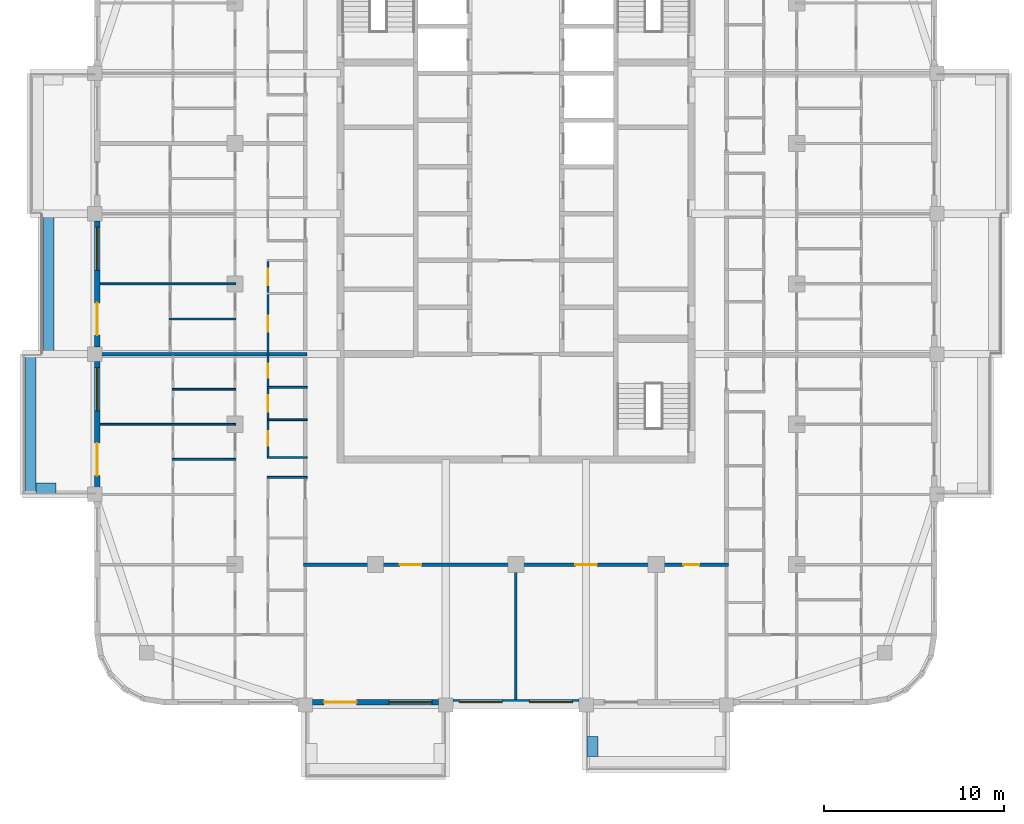
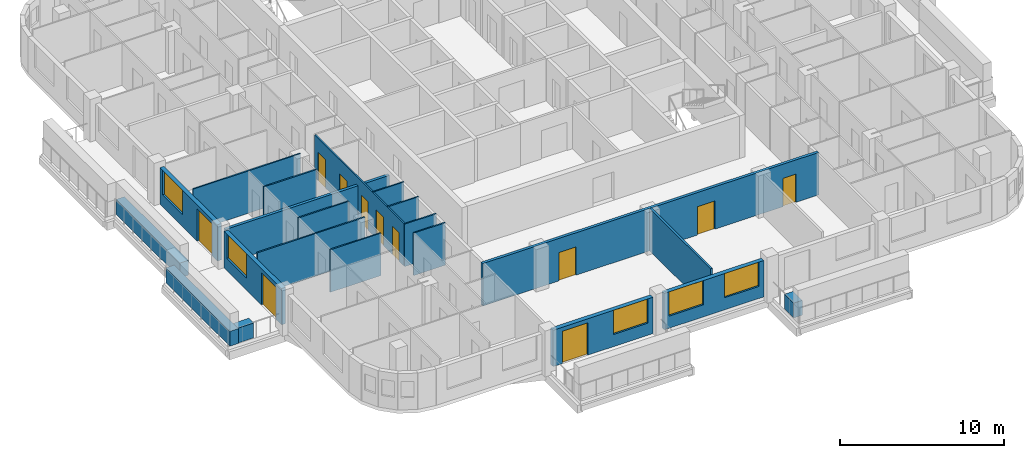
# One storey, part 3 of 16: 21 walls, 11 doors, 5 windows, 16 openings.
"""IFC4 building model written with IfcOpenShell, lengths in metres."""

import ifcopenshell
import ifcopenshell.guid

model = None  # the IFC model being written
_history = None  # IfcOwnerHistory: only IFC2X3 demands one
_inside = {}  # id of a spatial element -> (the spatial element, [elements in it])
_under = {}  # id of a project, library or spatial element -> (it, [spatial elements below it])
_declared = {}  # id of a project -> (the project, [libraries it declares])
_typed = {}  # id of a type object -> (the type object, [elements of that type])
_made_of = {}  # id of a material, layer set ... -> (it, [elements and type objects made of it])


def new_model(schema):
    """Start an empty IFC model of exactly this schema.

    Asked for "IFC4X3", IfcOpenShell would pick the latest addendum, in which some entities
    have other attributes; the version numbers below select the first issue.
    IFC2X3 requires an IfcOwnerHistory on every rooted entity: one is made here for all.
    """
    global model, _history
    if schema == "IFC4X3":
        model = ifcopenshell.file(schema_version=(4, 3, 0, 0))
    else:
        model = ifcopenshell.file(schema=schema)
    _inside.clear()
    _under.clear()
    _declared.clear()
    _typed.clear()
    _made_of.clear()
    _history = None
    if model.schema == "IFC2X3":
        org = make("IfcOrganization", Name="unknown")
        user = make(
            "IfcPersonAndOrganization",
            ThePerson=make("IfcPerson", FamilyName="unknown"),
            TheOrganization=org,
        )
        app = make(
            "IfcApplication",
            ApplicationDeveloper=org,
            Version="unknown",
            ApplicationFullName="unknown",
            ApplicationIdentifier="unknown",
        )
        _history = make(
            "IfcOwnerHistory",
            OwningUser=user,
            OwningApplication=app,
            ChangeAction="ADDED",
            CreationDate=0,
        )
    return model


def make(cls, **values):
    """One entity of the class cls with the attributes given. An attribute that is None is left unset."""
    return model.create_entity(
        cls, **{name: value for name, value in values.items() if value is not None}
    )


def rooted(cls, **values):
    """An entity with a GlobalId (a new one), such as an element, a storey or a relation."""
    return make(cls, GlobalId=ifcopenshell.guid.new(), OwnerHistory=_history, **values)


def si_unit(unit_type, name, prefix=None):
    """IfcSIUnit, for example si_unit("LENGTHUNIT", "METRE", prefix="MILLI")."""
    return make("IfcSIUnit", UnitType=unit_type, Prefix=prefix, Name=name)


def assignment(units):
    """IfcUnitAssignment: the units of a project."""
    return None if units is None else make("IfcUnitAssignment", Units=units)


def point(xyz):
    """IfcCartesianPoint."""
    return None if xyz is None else make("IfcCartesianPoint", Coordinates=xyz)


def direction(xyz):
    """IfcDirection."""
    return None if xyz is None else make("IfcDirection", DirectionRatios=xyz)


def frame(location, z_axis=None, x_axis=None):
    """IfcAxis2Placement3D, a coordinate frame: its origin and axes. An axis left out is left unset."""
    return make(
        "IfcAxis2Placement3D",
        Location=point(location),
        Axis=direction(z_axis),
        RefDirection=direction(x_axis),
    )


def frame_2d(location, x_axis=None):
    """IfcAxis2Placement2D, a coordinate frame in the plane: its origin and x axis."""
    return make(
        "IfcAxis2Placement2D", Location=point(location), RefDirection=direction(x_axis)
    )


def origin():
    """The frame at (0, 0, 0) with its axes left unset."""
    return frame((0.0, 0.0, 0.0))


def place(relative_to, where):
    """IfcLocalPlacement: puts the frame where relative to a parent placement (None: the world)."""
    return make(
        "IfcLocalPlacement", PlacementRelTo=relative_to, RelativePlacement=where
    )


def context(
    kind, dimensions, precision=None, world=None, true_north=None, identifier=None
):
    """IfcGeometricRepresentationContext, for example the 3D "Model" context."""
    return make(
        "IfcGeometricRepresentationContext",
        ContextIdentifier=identifier,
        ContextType=kind,
        CoordinateSpaceDimension=dimensions,
        Precision=precision,
        WorldCoordinateSystem=world,
        TrueNorth=true_north,
    )


def subcontext(parent, identifier, kind, view, scale=None):
    """IfcGeometricRepresentationSubContext, for example "Body" below "Model"."""
    return make(
        "IfcGeometricRepresentationSubContext",
        ContextIdentifier=identifier,
        ContextType=kind,
        ParentContext=parent,
        TargetScale=scale,
        TargetView=view,
    )


def project(units=None, contexts=None):
    """IfcProject with its units and contexts."""
    return rooted(
        "IfcProject",
        Name="project",
        RepresentationContexts=contexts,
        UnitsInContext=assignment(units),
    )


def spatial(cls, under=None, at=None, **own):
    """A site, building, storey or space (cls), placed at a placement, below another one or the project."""
    s = rooted(cls, ObjectPlacement=at, **own)
    if under is not None:
        _under.setdefault(under.id(), (under, []))[1].append(s)
    return s


def profile(cls, at=None, kind="AREA", **sizes):
    """A parametric profile (cls). Its sizes go by their IFC names, for example OverallWidth=200.0."""
    return make(cls, ProfileType=kind, Position=at, **sizes)


def rectangle(**sizes):
    """IfcRectangleProfileDef."""
    return profile("IfcRectangleProfileDef", **sizes)


def extrude(swept, where, along, depth):
    """IfcExtrudedAreaSolid: the profile swept, set in the frame where, extruded along a direction by depth."""
    return make(
        "IfcExtrudedAreaSolid",
        SweptArea=swept,
        Position=where,
        ExtrudedDirection=direction(along),
        Depth=depth,
    )


def shape(context_of_items, identifier, shape_type, items):
    """IfcShapeRepresentation: the items that make up one representation, for example the "Body"."""
    return make(
        "IfcShapeRepresentation",
        ContextOfItems=context_of_items,
        RepresentationIdentifier=identifier,
        RepresentationType=shape_type,
        Items=items,
    )


def material(Name=None, Category=None):
    """IfcMaterial."""
    return make("IfcMaterial", Name=Name, Category=Category)


def layer(
    of_material, thickness, ventilated=None, Name=None, Category=None, Priority=None
):
    """IfcMaterialLayer: one layer of a wall or slab, of a material (None: an air gap)."""
    return make(
        "IfcMaterialLayer",
        Material=of_material,
        LayerThickness=thickness,
        IsVentilated=ventilated,
        Name=Name,
        Category=Category,
        Priority=Priority,
    )


def layer_set(layers, Name=None):
    """IfcMaterialLayerSet."""
    return make("IfcMaterialLayerSet", MaterialLayers=layers, LayerSetName=Name)


def made_of(thing, what):
    """Note that an element or type object is made of a material, layer set ...; save() writes the relation."""
    if what is not None:
        _made_of.setdefault(what.id(), (what, []))[1].append(thing)
    return thing


def type_object(cls, material=None, **own):
    """A type object (cls), such as IfcWallType, which elements share."""
    return made_of(rooted(cls, **own), material)


def element(
    cls,
    number,
    at=None,
    inside=None,
    cuts=None,
    type_object=None,
    material=None,
    context=None,
    identifier="Body",
    shape_type=None,
    held_by="IfcProductDefinitionShape",
    body=None,
    shapes=None,
    **own,
):
    """One element of the class cls, such as IfcWall. Its Tag is "e" and its number.

    at: its placement. inside: the storey or other place that contains it. cuts: it is an
    opening in that element (IfcRelVoidsElement). A single representation is given by context,
    identifier, shape_type and body (its items); several are given by shapes. held_by: the class
    of the entity that holds the representations. save() writes the other relations.
    """
    e = rooted(cls, Tag="e%d" % number, ObjectPlacement=at, **own)
    if body is not None:
        shapes = [shape(context, identifier, shape_type, body)]
    if shapes is not None:
        e.Representation = make(held_by, Representations=shapes)
    if inside is not None:
        _inside.setdefault(inside.id(), (inside, []))[1].append(e)
    if cuts is not None:
        rooted(
            "IfcRelVoidsElement", RelatingBuildingElement=cuts, RelatedOpeningElement=e
        )
    if type_object is not None:
        _typed.setdefault(type_object.id(), (type_object, []))[1].append(e)
    return made_of(e, material)


def fill(opening, filler):
    """IfcRelFillsElement: the door or window that sits in an opening."""
    return rooted(
        "IfcRelFillsElement",
        RelatingOpeningElement=opening,
        RelatedBuildingElement=filler,
    )


def aggregate(whole, parts):
    """IfcRelAggregates: a whole, such as a stair, and the parts it consists of."""
    return rooted("IfcRelAggregates", RelatingObject=whole, RelatedObjects=parts)


def save(model, path):
    """Write the relations noted so far, then the file.

    IfcRelAggregates (storeys below a building ...), IfcRelContainedInSpatialStructure (elements
    in a storey), IfcRelDefinesByType, IfcRelAssociatesMaterial and IfcRelDeclares: one each for
    every whole, place, type object, material and project.
    """
    for whole, parts in _under.values():
        aggregate(whole, parts)
    for where, things in _inside.values():
        rooted(
            "IfcRelContainedInSpatialStructure",
            RelatedElements=things,
            RelatingStructure=where,
        )
    for kind, things in _typed.values():
        rooted("IfcRelDefinesByType", RelatedObjects=things, RelatingType=kind)
    for what, things in _made_of.values():
        rooted("IfcRelAssociatesMaterial", RelatedObjects=things, RelatingMaterial=what)
    for by, libraries in _declared.values():
        rooted("IfcRelDeclares", RelatingContext=by, RelatedDefinitions=libraries)
    model.write(path)


model = new_model("IFC4")

# Units and contexts
model_context = context("Model", 3, precision=1e-05, world=origin(), true_north=direction((0.0, 1.0)))
body_context = subcontext(model_context, "Body", "Model", "MODEL_VIEW")
ifc_project = project(units=[si_unit("LENGTHUNIT", "METRE"), si_unit("AREAUNIT", "SQUARE_METRE"), si_unit("VOLUMEUNIT", "CUBIC_METRE"), si_unit("PLANEANGLEUNIT", "RADIAN"), si_unit("MASSUNIT", "GRAM", prefix="KILO")], contexts=[model_context])

# Site, building, storey
site_placement = place(None, origin())
site = spatial("IfcSite", under=ifc_project, at=site_placement, CompositionType="ELEMENT")
building_placement = place(site_placement, origin())
building = spatial("IfcBuilding", under=site, at=building_placement, Name="Ludao Terraces", CompositionType="ELEMENT")
storey_placement = place(building_placement, frame((0.0, 0.0, 227.89990234375)))
storey = spatial("IfcBuildingStorey", under=building, at=storey_placement, Name="L62", CompositionType="ELEMENT", Elevation=227.89990234375)

# Walls
ifc_material_1 = material(Name="Concrete C40", Category="concrete")
ifc_layer_1 = layer(ifc_material_1, 0.60009765625)
ifc_layer_set_1 = layer_set([ifc_layer_1], Name="ENV Planter trough 600")
wall_type_1 = type_object("IfcWallType", Name="ENV Planter trough 600", PredefinedType="USERDEFINED", material=ifc_layer_set_1)
wall_1_placement = place(storey_placement, frame((89.25, 38.75, 0.0), z_axis=(0.0, 0.0, 1.0), x_axis=(0.0, 1.0, 0.0)))
element("IfcWall", 1, at=wall_1_placement, inside=storey, type_object=wall_type_1, Name="PL-L62-S3-SA", ObjectType="PLANTER", PredefinedType="USERDEFINED", context=body_context, shape_type="SweptSolid", body=[
    extrude(rectangle(XDim=1.10009765625, YDim=0.60009765625, at=frame_2d((0.550048828125, 0.0))), origin(), (0.0, 0.0, 1.0), 1.10009765625),
])
wall_2_placement = place(storey_placement, frame((58.050048828125, 53.300048828125, 0.0), z_axis=(0.0, 0.0, 1.0), x_axis=(0.0, 1.0, 0.0)))
element("IfcWall", 2, at=wall_2_placement, inside=storey, type_object=wall_type_1, Name="PL-L62-W1", ObjectType="PLANTER", PredefinedType="USERDEFINED", context=body_context, shape_type="SweptSolid", body=[
    extrude(rectangle(XDim=7.800048828125, YDim=0.60009765625, at=frame_2d((3.89990234375, 0.0))), origin(), (0.0, 0.0, 1.0), 1.10009765625),
])
wall_3_placement = place(storey_placement, frame((58.35009765625, 53.64990234375, 0.0), z_axis=(0.0, 0.0, 1.0), x_axis=(1.0, 0.0, 0.0)))
element("IfcWall", 3, at=wall_3_placement, inside=storey, type_object=wall_type_1, Name="PL-L62-W1-SA", ObjectType="PLANTER", PredefinedType="USERDEFINED", context=body_context, shape_type="SweptSolid", body=[
    extrude(rectangle(XDim=1.099853515625, YDim=0.60009765625, at=frame_2d((0.5498046875, 0.0))), origin(), (0.0, 0.0, 1.0), 1.10009765625),
])
wall_4_placement = place(storey_placement, frame((59.050048828125, 61.10009765625, 0.0), z_axis=(0.0, 0.0, 1.0), x_axis=(0.0, 1.0, 0.0)))
element("IfcWall", 4, at=wall_4_placement, inside=storey, type_object=wall_type_1, Name="PL-L62-W2", ObjectType="PLANTER", PredefinedType="USERDEFINED", context=body_context, shape_type="SweptSolid", body=[
    extrude(rectangle(XDim=7.7998046875, YDim=0.60009765625, at=frame_2d((3.89990234375, 0.0))), origin(), (0.0, 0.0, 1.0), 1.10009765625),
])

# Wall, openings, door, window
ifc_material_2 = material(Name="Granite cladding", Category="masonry")
ifc_layer_2 = layer(ifc_material_2, 0.0400390625, Category="stone")
ifc_material_3 = material(Name="Mineral wool")
ifc_layer_3 = layer(ifc_material_3, 0.06005859375)
ifc_layer_4 = layer(ifc_material_1, 0.199951171875, Category="concrete")
ifc_layer_set_2 = layer_set([ifc_layer_2, ifc_layer_3, ifc_layer_4], Name="ENV Stone-clad wall 300")
wall_type_2 = type_object("IfcWallType", Name="ENV Stone-clad wall 300", PredefinedType="SOLIDWALL", material=ifc_layer_set_2)
wall_5_placement = place(storey_placement, frame((73.699951171875, 41.75, 0.0), z_axis=(0.0, 0.0, 1.0), x_axis=(1.0, 0.0, 0.0)))
wall_5 = element("IfcWall", 5, at=wall_5_placement, inside=storey, type_object=wall_type_2, Name="EW-L62-S2", PredefinedType="SOLIDWALL", context=body_context, shape_type="SweptSolid", body=[
    extrude(rectangle(XDim=7.0, YDim=0.300048828125, at=frame_2d((3.5, 0.0))), origin(), (0.0, 0.0, 1.0), 2.7001953125),
])
opening_1_placement = place(wall_5_placement, frame((0.64990234375, 0.0, 0.0)))
opening_1 = element("IfcOpeningElement", 6, at=opening_1_placement, cuts=wall_5, Name="Opening BD", PredefinedType="OPENING", context=body_context, shape_type="SweptSolid", body=[
    extrude(rectangle(XDim=1.800048828125, YDim=2.39990234375, at=frame_2d((0.89990234375, 1.199951171875))), frame((0.0, 0.16015625, 0.0), z_axis=(0.0, -1.0, 0.0), x_axis=(1.0, 0.0, 0.0)), (0.0, 0.0, 1.0), 0.320068359375),
])
opening_2_placement = place(wall_5_placement, frame((4.25, 0.0, 0.89990234375)))
opening_2 = element("IfcOpeningElement", 7, at=opening_2_placement, cuts=wall_5, Name="Opening W1", PredefinedType="OPENING", context=body_context, shape_type="SweptSolid", body=[
    extrude(rectangle(XDim=2.39990234375, YDim=1.800048828125, at=frame_2d((1.199951171875, 0.89990234375))), frame((0.0, 0.16015625, 0.0), z_axis=(0.0, -1.0, 0.0), x_axis=(1.0, 0.0, 0.0)), (0.0, 0.0, 1.0), 0.320068359375),
])
ifc_material_4 = material(Name="Aluminium glazed door", Category="aluminium")
ifc_layer_5 = layer(ifc_material_4, 0.06005859375)
ifc_layer_set_3 = layer_set([ifc_layer_5], Name="ENV Balcony door BD 1800x2400")
door_type_1 = type_object("IfcDoorType", Name="ENV Balcony door BD 1800x2400", OperationType="DOUBLE_DOOR_SINGLE_SWING", PredefinedType="DOOR", material=ifc_layer_set_3)
door_1_placement = place(opening_1_placement, origin())
door_1 = element("IfcDoor", 8, at=door_1_placement, inside=storey, type_object=door_type_1, Name="BD-L62-S2-1", OperationType="DOUBLE_DOOR_SINGLE_SWING", OverallHeight=2.39990234375, OverallWidth=1.800048828125, PredefinedType="DOOR", context=body_context, shape_type="SweptSolid", body=[
    extrude(rectangle(XDim=1.800048828125, YDim=2.39990234375, at=frame_2d((0.89990234375, 1.199951171875))), frame((0.0, 0.02490234375, 0.0), z_axis=(0.0, -1.0, 0.0), x_axis=(1.0, 0.0, 0.0)), (0.0, 0.0, 1.0), 0.050048828125),
])
fill(opening_1, door_1)
ifc_material_5 = material(Name="Clear glass in aluminium frame", Category="aluminium")
ifc_layer_6 = layer(ifc_material_5, 0.06005859375)
ifc_layer_set_4 = layer_set([ifc_layer_6], Name="ENV Window W1 2400x1800")
window_type = type_object("IfcWindowType", Name="ENV Window W1 2400x1800", PartitioningType="DOUBLE_PANEL_VERTICAL", PredefinedType="WINDOW", material=ifc_layer_set_4)
window_1_placement = place(opening_2_placement, origin())
window_1 = element("IfcWindow", 9, at=window_1_placement, inside=storey, type_object=window_type, Name="W-L62-S2-2", OverallHeight=1.800048828125, OverallWidth=2.39990234375, PartitioningType="DOUBLE_PANEL_VERTICAL", PredefinedType="WINDOW", context=body_context, shape_type="SweptSolid", body=[
    extrude(rectangle(XDim=2.39990234375, YDim=1.800048828125, at=frame_2d((1.199951171875, 0.89990234375))), frame((0.0, 0.030029296875, 0.0), z_axis=(0.0, -1.0, 0.0), x_axis=(1.0, 0.0, 0.0)), (0.0, 0.0, 1.0), 0.06005859375),
])
fill(opening_2, window_1)

# Wall, openings, windows
wall_6_placement = place(storey_placement, frame((81.5, 41.75, 0.0), z_axis=(0.0, 0.0, 1.0), x_axis=(1.0, 0.0, 0.0)))
wall_6 = element("IfcWall", 10, at=wall_6_placement, inside=storey, type_object=wall_type_2, Name="EW-L62-S3", PredefinedType="SOLIDWALL", context=body_context, shape_type="SweptSolid", body=[
    extrude(rectangle(XDim=7.0, YDim=0.300048828125, at=frame_2d((3.5, 0.0))), origin(), (0.0, 0.0, 1.0), 2.7001953125),
])
opening_3_placement = place(wall_6_placement, frame((0.35009765625, 0.0, 0.89990234375)))
opening_3 = element("IfcOpeningElement", 11, at=opening_3_placement, cuts=wall_6, Name="Opening W1", PredefinedType="OPENING", context=body_context, shape_type="SweptSolid", body=[
    extrude(rectangle(XDim=2.39990234375, YDim=1.800048828125, at=frame_2d((1.199951171875, 0.89990234375))), frame((0.0, 0.16015625, 0.0), z_axis=(0.0, -1.0, 0.0), x_axis=(1.0, 0.0, 0.0)), (0.0, 0.0, 1.0), 0.320068359375),
])
opening_4_placement = place(wall_6_placement, frame((4.25, 0.0, 0.89990234375)))
opening_4 = element("IfcOpeningElement", 12, at=opening_4_placement, cuts=wall_6, Name="Opening W1", PredefinedType="OPENING", context=body_context, shape_type="SweptSolid", body=[
    extrude(rectangle(XDim=2.39990234375, YDim=1.800048828125, at=frame_2d((1.199951171875, 0.89990234375))), frame((0.0, 0.16015625, 0.0), z_axis=(0.0, -1.0, 0.0), x_axis=(1.0, 0.0, 0.0)), (0.0, 0.0, 1.0), 0.320068359375),
])
window_2_placement = place(opening_3_placement, origin())
window_2 = element("IfcWindow", 13, at=window_2_placement, inside=storey, type_object=window_type, Name="W-L62-S3-1", OverallHeight=1.800048828125, OverallWidth=2.39990234375, PartitioningType="DOUBLE_PANEL_VERTICAL", PredefinedType="WINDOW", context=body_context, shape_type="SweptSolid", body=[
    extrude(rectangle(XDim=2.39990234375, YDim=1.800048828125, at=frame_2d((1.199951171875, 0.89990234375))), frame((0.0, 0.030029296875, 0.0), z_axis=(0.0, -1.0, 0.0), x_axis=(1.0, 0.0, 0.0)), (0.0, 0.0, 1.0), 0.06005859375),
])
fill(opening_3, window_2)
window_3_placement = place(opening_4_placement, origin())
window_3 = element("IfcWindow", 14, at=window_3_placement, inside=storey, type_object=window_type, Name="W-L62-S3-2", OverallHeight=1.800048828125, OverallWidth=2.39990234375, PartitioningType="DOUBLE_PANEL_VERTICAL", PredefinedType="WINDOW", context=body_context, shape_type="SweptSolid", body=[
    extrude(rectangle(XDim=2.39990234375, YDim=1.800048828125, at=frame_2d((1.199951171875, 0.89990234375))), frame((0.0, 0.030029296875, 0.0), z_axis=(0.0, -1.0, 0.0), x_axis=(1.0, 0.0, 0.0)), (0.0, 0.0, 1.0), 0.06005859375),
])
fill(opening_4, window_3)

# Wall, openings, door, window
wall_7_placement = place(storey_placement, frame((61.75, 53.699951171875, 0.0), z_axis=(0.0, 0.0, 1.0), x_axis=(0.0, 1.0, 0.0)))
wall_7 = element("IfcWall", 15, at=wall_7_placement, inside=storey, type_object=wall_type_2, Name="EW-L62-W2", PredefinedType="SOLIDWALL", context=body_context, shape_type="SweptSolid", body=[
    extrude(rectangle(XDim=7.0, YDim=0.300048828125, at=frame_2d((3.5, 0.0))), origin(), (0.0, 0.0, 1.0), 2.7001953125),
])
opening_5_placement = place(wall_7_placement, frame((0.64990234375, 0.0, 0.0)))
opening_5 = element("IfcOpeningElement", 16, at=opening_5_placement, cuts=wall_7, Name="Opening BD", PredefinedType="OPENING", context=body_context, shape_type="SweptSolid", body=[
    extrude(rectangle(XDim=1.800048828125, YDim=2.39990234375, at=frame_2d((0.89990234375, 1.199951171875))), frame((0.0, 0.16015625, 0.0), z_axis=(0.0, -1.0, 0.0), x_axis=(1.0, 0.0, 0.0)), (0.0, 0.0, 1.0), 0.320068359375),
])
opening_6_placement = place(wall_7_placement, frame((4.25, 0.0, 0.89990234375)))
opening_6 = element("IfcOpeningElement", 17, at=opening_6_placement, cuts=wall_7, Name="Opening W1", PredefinedType="OPENING", context=body_context, shape_type="SweptSolid", body=[
    extrude(rectangle(XDim=2.39990234375, YDim=1.800048828125, at=frame_2d((1.199951171875, 0.89990234375))), frame((0.0, 0.16015625, 0.0), z_axis=(0.0, -1.0, 0.0), x_axis=(1.0, 0.0, 0.0)), (0.0, 0.0, 1.0), 0.320068359375),
])
door_2_placement = place(opening_5_placement, origin())
door_2 = element("IfcDoor", 18, at=door_2_placement, inside=storey, type_object=door_type_1, Name="BD-L62-W2-1", OperationType="DOUBLE_DOOR_SINGLE_SWING", OverallHeight=2.39990234375, OverallWidth=1.800048828125, PredefinedType="DOOR", context=body_context, shape_type="SweptSolid", body=[
    extrude(rectangle(XDim=1.800048828125, YDim=2.39990234375, at=frame_2d((0.89990234375, 1.199951171875))), frame((0.0, 0.02490234375, 0.0), z_axis=(0.0, -1.0, 0.0), x_axis=(1.0, 0.0, 0.0)), (0.0, 0.0, 1.0), 0.050048828125),
])
fill(opening_5, door_2)
window_4_placement = place(opening_6_placement, origin())
window_4 = element("IfcWindow", 19, at=window_4_placement, inside=storey, type_object=window_type, Name="W-L62-W2-2", OverallHeight=1.800048828125, OverallWidth=2.39990234375, PartitioningType="DOUBLE_PANEL_VERTICAL", PredefinedType="WINDOW", context=body_context, shape_type="SweptSolid", body=[
    extrude(rectangle(XDim=2.39990234375, YDim=1.800048828125, at=frame_2d((1.199951171875, 0.89990234375))), frame((0.0, 0.030029296875, 0.0), z_axis=(0.0, -1.0, 0.0), x_axis=(1.0, 0.0, 0.0)), (0.0, 0.0, 1.0), 0.06005859375),
])
fill(opening_6, window_4)

wall_8_placement = place(storey_placement, frame((61.75, 61.5, 0.0), z_axis=(0.0, 0.0, 1.0), x_axis=(0.0, 1.0, 0.0)))
wall_8 = element("IfcWall", 20, at=wall_8_placement, inside=storey, type_object=wall_type_2, Name="EW-L62-W3", PredefinedType="SOLIDWALL", context=body_context, shape_type="SweptSolid", body=[
    extrude(rectangle(XDim=7.0, YDim=0.300048828125, at=frame_2d((3.5, 0.0))), origin(), (0.0, 0.0, 1.0), 2.7001953125),
])
opening_7_placement = place(wall_8_placement, frame((0.64990234375, 0.0, 0.0)))
opening_7 = element("IfcOpeningElement", 21, at=opening_7_placement, cuts=wall_8, Name="Opening BD", PredefinedType="OPENING", context=body_context, shape_type="SweptSolid", body=[
    extrude(rectangle(XDim=1.800048828125, YDim=2.39990234375, at=frame_2d((0.89990234375, 1.199951171875))), frame((0.0, 0.16015625, 0.0), z_axis=(0.0, -1.0, 0.0), x_axis=(1.0, 0.0, 0.0)), (0.0, 0.0, 1.0), 0.320068359375),
])
opening_8_placement = place(wall_8_placement, frame((4.25, 0.0, 0.89990234375)))
opening_8 = element("IfcOpeningElement", 22, at=opening_8_placement, cuts=wall_8, Name="Opening W1", PredefinedType="OPENING", context=body_context, shape_type="SweptSolid", body=[
    extrude(rectangle(XDim=2.39990234375, YDim=1.800048828125, at=frame_2d((1.199951171875, 0.89990234375))), frame((0.0, 0.16015625, 0.0), z_axis=(0.0, -1.0, 0.0), x_axis=(1.0, 0.0, 0.0)), (0.0, 0.0, 1.0), 0.320068359375),
])
door_3_placement = place(opening_7_placement, origin())
door_3 = element("IfcDoor", 23, at=door_3_placement, inside=storey, type_object=door_type_1, Name="BD-L62-W3-1", OperationType="DOUBLE_DOOR_SINGLE_SWING", OverallHeight=2.39990234375, OverallWidth=1.800048828125, PredefinedType="DOOR", context=body_context, shape_type="SweptSolid", body=[
    extrude(rectangle(XDim=1.800048828125, YDim=2.39990234375, at=frame_2d((0.89990234375, 1.199951171875))), frame((0.0, 0.02490234375, 0.0), z_axis=(0.0, -1.0, 0.0), x_axis=(1.0, 0.0, 0.0)), (0.0, 0.0, 1.0), 0.050048828125),
])
fill(opening_7, door_3)
window_5_placement = place(opening_8_placement, origin())
window_5 = element("IfcWindow", 24, at=window_5_placement, inside=storey, type_object=window_type, Name="W-L62-W3-2", OverallHeight=1.800048828125, OverallWidth=2.39990234375, PartitioningType="DOUBLE_PANEL_VERTICAL", PredefinedType="WINDOW", context=body_context, shape_type="SweptSolid", body=[
    extrude(rectangle(XDim=2.39990234375, YDim=1.800048828125, at=frame_2d((1.199951171875, 0.89990234375))), frame((0.0, 0.030029296875, 0.0), z_axis=(0.0, -1.0, 0.0), x_axis=(1.0, 0.0, 0.0)), (0.0, 0.0, 1.0), 0.06005859375),
])
fill(opening_8, window_5)

# Wall, openings, doors
ifc_material_6 = material(Name="Autoclaved aerated concrete block B06 A3.5", Category="concrete")
ifc_layer_7 = layer(ifc_material_6, 0.199951171875)
ifc_layer_set_5 = layer_set([ifc_layer_7], Name="INT Entrance wall 200")
wall_type_3 = type_object("IfcWallType", Name="INT Entrance wall 200", PredefinedType="PARTITIONING", material=ifc_layer_set_5)
wall_9_placement = place(storey_placement, frame((73.2001953125, 49.39990234375, 0.0), z_axis=(0.0, 0.0, 1.0), x_axis=(1.0, 0.0, 0.0)))
wall_9 = element("IfcWall", 25, at=wall_9_placement, inside=storey, type_object=wall_type_3, Name="PW-L62-PW006", PredefinedType="PARTITIONING", context=body_context, shape_type="SweptSolid", body=[
    extrude(rectangle(XDim=23.599853515625, YDim=0.199951171875, at=frame_2d((11.7998046875, 0.0))), origin(), (0.0, 0.0, 1.0), 3.150146484375),
])
opening_9_placement = place(wall_9_placement, frame((5.349853515625, 0.0, 0.0)))
opening_9 = element("IfcOpeningElement", 26, at=opening_9_placement, cuts=wall_9, Name="Opening R22-015", PredefinedType="OPENING", context=body_context, shape_type="SweptSolid", body=[
    extrude(rectangle(XDim=1.199951171875, YDim=2.10009765625, at=frame_2d((0.60009765625, 1.050048828125))), frame((0.0, 0.10986328125, 0.0), z_axis=(0.0, -1.0, 0.0), x_axis=(1.0, 0.0, 0.0)), (0.0, 0.0, 1.0), 0.219970703125),
])
opening_10_placement = place(wall_9_placement, frame((15.099853515625, 0.0, 0.0)))
opening_10 = element("IfcOpeningElement", 27, at=opening_10_placement, cuts=wall_9, Name="Opening R22-016", PredefinedType="OPENING", context=body_context, shape_type="SweptSolid", body=[
    extrude(rectangle(XDim=1.199951171875, YDim=2.10009765625, at=frame_2d((0.60009765625, 1.050048828125))), frame((0.0, 0.10986328125, 0.0), z_axis=(0.0, -1.0, 0.0), x_axis=(1.0, 0.0, 0.0)), (0.0, 0.0, 1.0), 0.219970703125),
])
opening_11_placement = place(wall_9_placement, frame((21.099853515625, 0.0, 0.0)))
opening_11 = element("IfcOpeningElement", 28, at=opening_11_placement, cuts=wall_9, Name="Opening R22-017", PredefinedType="OPENING", context=body_context, shape_type="SweptSolid", body=[
    extrude(rectangle(XDim=0.89990234375, YDim=2.10009765625, at=frame_2d((0.449951171875, 1.050048828125))), frame((0.0, 0.10986328125, 0.0), z_axis=(0.0, -1.0, 0.0), x_axis=(1.0, 0.0, 0.0)), (0.0, 0.0, 1.0), 0.219970703125),
])
ifc_material_7 = material(Name="Timber door leaf", Category="wood")
door_type_2 = type_object("IfcDoorType", Name="INT Double door 1200", OperationType="DOUBLE_DOOR_SINGLE_SWING", PredefinedType="DOOR", material=ifc_material_7)
door_4_placement = place(opening_9_placement, origin())
door_4 = element("IfcDoor", 29, at=door_4_placement, inside=storey, type_object=door_type_2, Name="DOOR 015", OperationType="DOUBLE_DOOR_SINGLE_SWING", OverallHeight=2.10009765625, OverallWidth=1.199951171875, PredefinedType="DOOR", context=body_context, shape_type="SweptSolid", body=[
    extrude(rectangle(XDim=1.199951171875, YDim=2.10009765625, at=frame_2d((0.60009765625, 1.050048828125))), frame((0.0, 0.02490234375, 0.0), z_axis=(0.0, -1.0, 0.0), x_axis=(1.0, 0.0, 0.0)), (0.0, 0.0, 1.0), 0.050048828125),
])
fill(opening_9, door_4)
door_5_placement = place(opening_10_placement, origin())
door_5 = element("IfcDoor", 30, at=door_5_placement, inside=storey, type_object=door_type_2, Name="DOOR 016", OperationType="DOUBLE_DOOR_SINGLE_SWING", OverallHeight=2.10009765625, OverallWidth=1.199951171875, PredefinedType="DOOR", context=body_context, shape_type="SweptSolid", body=[
    extrude(rectangle(XDim=1.199951171875, YDim=2.10009765625, at=frame_2d((0.60009765625, 1.050048828125))), frame((0.0, 0.02490234375, 0.0), z_axis=(0.0, -1.0, 0.0), x_axis=(1.0, 0.0, 0.0)), (0.0, 0.0, 1.0), 0.050048828125),
])
fill(opening_10, door_5)
door_type_3 = type_object("IfcDoorType", Name="INT Room door 900", OperationType="SINGLE_SWING_LEFT", PredefinedType="DOOR", material=ifc_material_7)
door_6_placement = place(opening_11_placement, origin())
door_6 = element("IfcDoor", 31, at=door_6_placement, inside=storey, type_object=door_type_3, Name="DOOR 017", OperationType="SINGLE_SWING_RIGHT", OverallHeight=2.10009765625, OverallWidth=0.89990234375, PredefinedType="DOOR", context=body_context, shape_type="SweptSolid", body=[
    extrude(rectangle(XDim=0.89990234375, YDim=2.10009765625, at=frame_2d((0.449951171875, 1.050048828125))), frame((0.0, 0.02490234375, 0.0), z_axis=(0.0, -1.0, 0.0), x_axis=(1.0, 0.0, 0.0)), (0.0, 0.0, 1.0), 0.050048828125),
])
fill(opening_11, door_6)

# Walls
ifc_material_8 = material(Name="Gypsum plasterboard", Category="gypsum")
ifc_layer_8 = layer(ifc_material_8, 0.012451171875, Category="gypsum")
ifc_layer_9 = layer(ifc_material_3, 0.06005859375, Name="insulation")
ifc_material_9 = material(Name="Steel Q235", Category="steel")
ifc_layer_10 = layer(ifc_material_9, 0.014892578125, Name="stud")
ifc_layer_11 = layer(ifc_material_8, 0.012451171875, Category="gypsum")
ifc_layer_set_6 = layer_set([ifc_layer_8, ifc_layer_9, ifc_layer_10, ifc_layer_11], Name="INT Partition 100")
wall_type_4 = type_object("IfcWallType", Name="INT Partition 100", PredefinedType="PARTITIONING", material=ifc_layer_set_6)
wall_10_placement = place(storey_placement, frame((71.18017578125, 54.25, 0.0), z_axis=(0.0, 0.0, 1.0), x_axis=(1.0, 0.0, 0.0)))
element("IfcWall", 32, at=wall_10_placement, inside=storey, type_object=wall_type_4, Name="PW-L62-PW013", PredefinedType="PARTITIONING", context=body_context, shape_type="SweptSolid", body=[
    extrude(rectangle(XDim=2.219970703125, YDim=0.10009765625, at=frame_2d((1.10986328125, 0.0))), origin(), (0.0, 0.0, 1.0), 3.150146484375),
])
wall_11_placement = place(storey_placement, frame((65.900146484375, 55.25, 0.0), z_axis=(0.0, 0.0, 1.0), x_axis=(1.0, 0.0, 0.0)))
element("IfcWall", 33, at=wall_11_placement, inside=storey, type_object=wall_type_4, Name="PW-L62-PW015", PredefinedType="PARTITIONING", context=body_context, shape_type="SweptSolid", body=[
    extrude(rectangle(XDim=3.550048828125, YDim=0.10009765625, at=frame_2d((1.77490234375, 0.0))), origin(), (0.0, 0.0, 1.0), 3.150146484375),
])
wall_12_placement = place(storey_placement, frame((71.18017578125, 55.35009765625, 0.0), z_axis=(0.0, 0.0, 1.0), x_axis=(1.0, 0.0, 0.0)))
element("IfcWall", 34, at=wall_12_placement, inside=storey, type_object=wall_type_4, Name="PW-L62-PW016", PredefinedType="PARTITIONING", context=body_context, shape_type="SweptSolid", body=[
    extrude(rectangle(XDim=2.219970703125, YDim=0.10009765625, at=frame_2d((1.10986328125, 0.0))), origin(), (0.0, 0.0, 1.0), 3.150146484375),
])
wall_13_placement = place(storey_placement, frame((61.900146484375, 57.199951171875, 0.0), z_axis=(0.0, 0.0, 1.0), x_axis=(1.0, 0.0, 0.0)))
element("IfcWall", 35, at=wall_13_placement, inside=storey, type_object=wall_type_4, Name="PW-L62-PW017", PredefinedType="PARTITIONING", context=body_context, shape_type="SweptSolid", body=[
    extrude(rectangle(XDim=7.550048828125, YDim=0.10009765625, at=frame_2d((3.77490234375, 0.0))), origin(), (0.0, 0.0, 1.0), 3.150146484375),
])
wall_14_placement = place(storey_placement, frame((71.18017578125, 57.449951171875, 0.0), z_axis=(0.0, 0.0, 1.0), x_axis=(1.0, 0.0, 0.0)))
element("IfcWall", 36, at=wall_14_placement, inside=storey, type_object=wall_type_4, Name="PW-L62-PW019", PredefinedType="PARTITIONING", context=body_context, shape_type="SweptSolid", body=[
    extrude(rectangle(XDim=2.219970703125, YDim=0.10009765625, at=frame_2d((1.10986328125, 0.0))), origin(), (0.0, 0.0, 1.0), 3.150146484375),
])
wall_15_placement = place(storey_placement, frame((65.900146484375, 59.14990234375, 0.0), z_axis=(0.0, 0.0, 1.0), x_axis=(1.0, 0.0, 0.0)))
element("IfcWall", 37, at=wall_15_placement, inside=storey, type_object=wall_type_4, Name="PW-L62-PW022", PredefinedType="PARTITIONING", context=body_context, shape_type="SweptSolid", body=[
    extrude(rectangle(XDim=3.550048828125, YDim=0.10009765625, at=frame_2d((1.77490234375, 0.0))), origin(), (0.0, 0.0, 1.0), 3.150146484375),
])
wall_16_placement = place(storey_placement, frame((71.18017578125, 59.25, 0.0), z_axis=(0.0, 0.0, 1.0), x_axis=(1.0, 0.0, 0.0)))
element("IfcWall", 38, at=wall_16_placement, inside=storey, type_object=wall_type_4, Name="PW-L62-PW024", PredefinedType="PARTITIONING", context=body_context, shape_type="SweptSolid", body=[
    extrude(rectangle(XDim=2.219970703125, YDim=0.10009765625, at=frame_2d((1.10986328125, 0.0))), origin(), (0.0, 0.0, 1.0), 3.150146484375),
])
wall_17_placement = place(storey_placement, frame((65.75, 63.050048828125, 0.0), z_axis=(0.0, 0.0, 1.0), x_axis=(1.0, 0.0, 0.0)))
element("IfcWall", 39, at=wall_17_placement, inside=storey, type_object=wall_type_4, Name="PW-L62-PW028", PredefinedType="PARTITIONING", context=body_context, shape_type="SweptSolid", body=[
    extrude(rectangle(XDim=3.7001953125, YDim=0.10009765625, at=frame_2d((1.85009765625, 0.0))), origin(), (0.0, 0.0, 1.0), 3.150146484375),
])
wall_18_placement = place(storey_placement, frame((61.900146484375, 65.0, 0.0), z_axis=(0.0, 0.0, 1.0), x_axis=(1.0, 0.0, 0.0)))
element("IfcWall", 40, at=wall_18_placement, inside=storey, type_object=wall_type_4, Name="PW-L62-PW032", PredefinedType="PARTITIONING", context=body_context, shape_type="SweptSolid", body=[
    extrude(rectangle(XDim=7.550048828125, YDim=0.10009765625, at=frame_2d((3.77490234375, 0.0))), origin(), (0.0, 0.0, 1.0), 3.150146484375),
])

# Wall, openings, doors
wall_19_placement = place(storey_placement, frame((71.22998046875, 55.400146484375, 0.0), z_axis=(0.0, 0.0, 1.0), x_axis=(0.0, 1.0, 0.0)))
wall_19 = element("IfcWall", 41, at=wall_19_placement, inside=storey, type_object=wall_type_4, Name="PW-L62-PW074", PredefinedType="PARTITIONING", context=body_context, shape_type="SweptSolid", body=[
    extrude(rectangle(XDim=10.849853515625, YDim=0.10009765625, at=frame_2d((5.4248046875, 0.0))), origin(), (0.0, 0.0, 1.0), 3.150146484375),
])
opening_12_placement = place(wall_19_placement, frame((0.60009765625, 0.0, 0.0)))
opening_12 = element("IfcOpeningElement", 42, at=opening_12_placement, cuts=wall_19, Name="Opening R22-034", PredefinedType="OPENING", context=body_context, shape_type="SweptSolid", body=[
    extrude(rectangle(XDim=0.800048828125, YDim=2.10009765625, at=frame_2d((0.39990234375, 1.050048828125))), frame((0.0, 0.06005859375, 0.0), z_axis=(0.0, -1.0, 0.0), x_axis=(1.0, 0.0, 0.0)), (0.0, 0.0, 1.0), 0.1201171875),
])
opening_13_placement = place(wall_19_placement, frame((2.5, 0.0, 0.0)))
opening_13 = element("IfcOpeningElement", 43, at=opening_13_placement, cuts=wall_19, Name="Opening R22-039", PredefinedType="OPENING", context=body_context, shape_type="SweptSolid", body=[
    extrude(rectangle(XDim=0.89990234375, YDim=2.10009765625, at=frame_2d((0.449951171875, 1.050048828125))), frame((0.0, 0.06005859375, 0.0), z_axis=(0.0, -1.0, 0.0), x_axis=(1.0, 0.0, 0.0)), (0.0, 0.0, 1.0), 0.1201171875),
])
opening_14_placement = place(wall_19_placement, frame((4.375, 0.0, 0.0)))
opening_14 = element("IfcOpeningElement", 44, at=opening_14_placement, cuts=wall_19, Name="Opening R22-046", PredefinedType="OPENING", context=body_context, shape_type="SweptSolid", body=[
    extrude(rectangle(XDim=0.800048828125, YDim=2.10009765625, at=frame_2d((0.39990234375, 1.050048828125))), frame((0.0, 0.06005859375, 0.0), z_axis=(0.0, -1.0, 0.0), x_axis=(1.0, 0.0, 0.0)), (0.0, 0.0, 1.0), 0.1201171875),
])
opening_15_placement = place(wall_19_placement, frame((6.93505859375, 0.0, 0.0)))
opening_15 = element("IfcOpeningElement", 45, at=opening_15_placement, cuts=wall_19, Name="Opening R22-053", PredefinedType="OPENING", context=body_context, shape_type="SweptSolid", body=[
    extrude(rectangle(XDim=0.89990234375, YDim=2.10009765625, at=frame_2d((0.449951171875, 1.050048828125))), frame((0.0, 0.06005859375, 0.0), z_axis=(0.0, -1.0, 0.0), x_axis=(1.0, 0.0, 0.0)), (0.0, 0.0, 1.0), 0.1201171875),
])
opening_16_placement = place(wall_19_placement, frame((9.534912109375, 0.0, 0.0)))
opening_16 = element("IfcOpeningElement", 46, at=opening_16_placement, cuts=wall_19, Name="Opening R22-063", PredefinedType="OPENING", context=body_context, shape_type="SweptSolid", body=[
    extrude(rectangle(XDim=0.89990234375, YDim=2.10009765625, at=frame_2d((0.449951171875, 1.050048828125))), frame((0.0, 0.06005859375, 0.0), z_axis=(0.0, -1.0, 0.0), x_axis=(1.0, 0.0, 0.0)), (0.0, 0.0, 1.0), 0.1201171875),
])
door_type_4 = type_object("IfcDoorType", Name="INT Bathroom door 900", OperationType="SINGLE_SWING_LEFT", PredefinedType="DOOR", material=ifc_material_7)
door_7_placement = place(opening_13_placement, origin())
door_7 = element("IfcDoor", 47, at=door_7_placement, inside=storey, type_object=door_type_4, Name="DOOR 039", OperationType="SINGLE_SWING_LEFT", OverallHeight=2.10009765625, OverallWidth=0.89990234375, PredefinedType="DOOR", context=body_context, shape_type="SweptSolid", body=[
    extrude(rectangle(XDim=0.89990234375, YDim=2.10009765625, at=frame_2d((0.449951171875, 1.050048828125))), frame((0.0, 0.02490234375, 0.0), z_axis=(0.0, -1.0, 0.0), x_axis=(1.0, 0.0, 0.0)), (0.0, 0.0, 1.0), 0.050048828125),
])
fill(opening_13, door_7)
door_8_placement = place(opening_16_placement, origin())
door_8 = element("IfcDoor", 48, at=door_8_placement, inside=storey, type_object=door_type_4, Name="DOOR 063", OperationType="SINGLE_SWING_RIGHT", OverallHeight=2.10009765625, OverallWidth=0.89990234375, PredefinedType="DOOR", context=body_context, shape_type="SweptSolid", body=[
    extrude(rectangle(XDim=0.89990234375, YDim=2.10009765625, at=frame_2d((0.449951171875, 1.050048828125))), frame((0.0, 0.02490234375, 0.0), z_axis=(0.0, -1.0, 0.0), x_axis=(1.0, 0.0, 0.0)), (0.0, 0.0, 1.0), 0.050048828125),
])
fill(opening_16, door_8)
door_9_placement = place(opening_15_placement, origin())
door_9 = element("IfcDoor", 49, at=door_9_placement, inside=storey, type_object=door_type_3, Name="DOOR 053", OperationType="SINGLE_SWING_RIGHT", OverallHeight=2.10009765625, OverallWidth=0.89990234375, PredefinedType="DOOR", context=body_context, shape_type="SweptSolid", body=[
    extrude(rectangle(XDim=0.89990234375, YDim=2.10009765625, at=frame_2d((0.449951171875, 1.050048828125))), frame((0.0, 0.02490234375, 0.0), z_axis=(0.0, -1.0, 0.0), x_axis=(1.0, 0.0, 0.0)), (0.0, 0.0, 1.0), 0.050048828125),
])
fill(opening_15, door_9)
door_type_5 = type_object("IfcDoorType", Name="INT Store door 800", OperationType="SINGLE_SWING_LEFT", PredefinedType="DOOR", material=ifc_material_7)
door_10_placement = place(opening_12_placement, origin())
door_10 = element("IfcDoor", 50, at=door_10_placement, inside=storey, type_object=door_type_5, Name="DOOR 034", OperationType="SINGLE_SWING_RIGHT", OverallHeight=2.10009765625, OverallWidth=0.800048828125, PredefinedType="DOOR", context=body_context, shape_type="SweptSolid", body=[
    extrude(rectangle(XDim=0.800048828125, YDim=2.10009765625, at=frame_2d((0.39990234375, 1.050048828125))), frame((0.0, 0.02490234375, 0.0), z_axis=(0.0, -1.0, 0.0), x_axis=(1.0, 0.0, 0.0)), (0.0, 0.0, 1.0), 0.050048828125),
])
fill(opening_12, door_10)
door_11_placement = place(opening_14_placement, origin())
door_11 = element("IfcDoor", 51, at=door_11_placement, inside=storey, type_object=door_type_5, Name="DOOR 046", OperationType="SINGLE_SWING_LEFT", OverallHeight=2.10009765625, OverallWidth=0.800048828125, PredefinedType="DOOR", context=body_context, shape_type="SweptSolid", body=[
    extrude(rectangle(XDim=0.800048828125, YDim=2.10009765625, at=frame_2d((0.39990234375, 1.050048828125))), frame((0.0, 0.02490234375, 0.0), z_axis=(0.0, -1.0, 0.0), x_axis=(1.0, 0.0, 0.0)), (0.0, 0.0, 1.0), 0.050048828125),
])
fill(opening_14, door_11)

# Walls
ifc_layer_12 = layer(ifc_material_6, 0.14990234375)
ifc_layer_set_7 = layer_set([ifc_layer_12], Name="INT Party wall 150")
wall_type_5 = type_object("IfcWallType", Name="INT Party wall 150", PredefinedType="PARTITIONING", material=ifc_layer_set_7)
wall_20_placement = place(storey_placement, frame((85.0, 41.900146484375, 0.0), z_axis=(0.0, 0.0, 1.0), x_axis=(0.0, 1.0, 0.0)))
element("IfcWall", 52, at=wall_20_placement, inside=storey, type_object=wall_type_5, Name="PW-L62-PW082", PredefinedType="PARTITIONING", context=body_context, shape_type="SweptSolid", body=[
    extrude(rectangle(XDim=7.39990234375, YDim=0.14990234375, at=frame_2d((3.699951171875, 0.0))), origin(), (0.0, 0.0, 1.0), 3.150146484375),
])
ifc_layer_13 = layer(ifc_material_6, 0.199951171875)
ifc_layer_set_8 = layer_set([ifc_layer_13], Name="INT Party wall 200")
wall_type_6 = type_object("IfcWallType", Name="INT Party wall 200", PredefinedType="PARTITIONING", material=ifc_layer_set_8)
wall_21_placement = place(storey_placement, frame((61.900146484375, 61.10009765625, 0.0), z_axis=(0.0, 0.0, 1.0), x_axis=(1.0, 0.0, 0.0)))
element("IfcWall", 53, at=wall_21_placement, inside=storey, type_object=wall_type_6, Name="PW-L62-PW025", PredefinedType="PARTITIONING", context=body_context, shape_type="SweptSolid", body=[
    extrude(rectangle(XDim=11.5, YDim=0.199951171875, at=frame_2d((5.75, 0.0))), origin(), (0.0, 0.0, 1.0), 2.550048828125),
])

save(model, "model.ifc")
